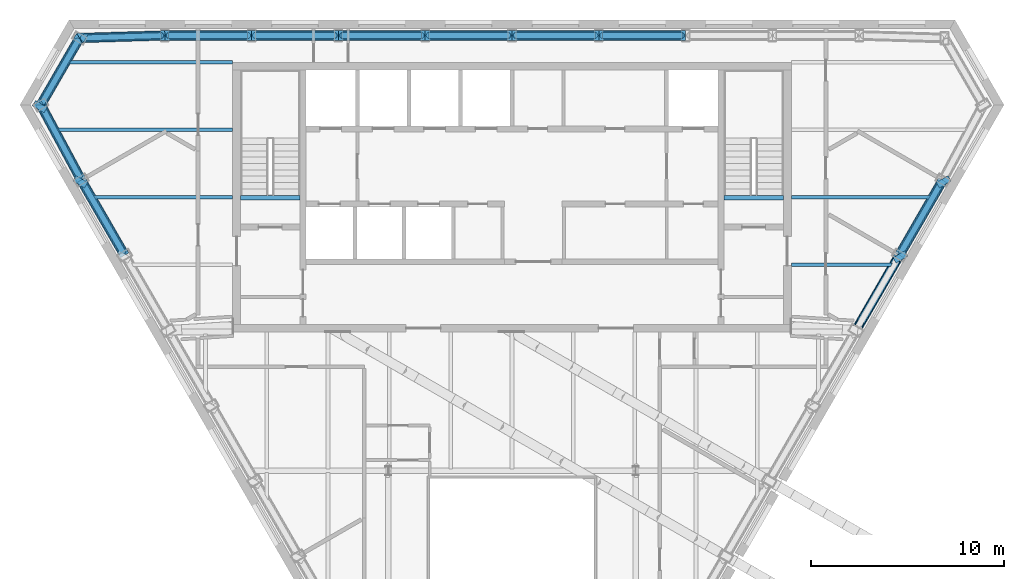
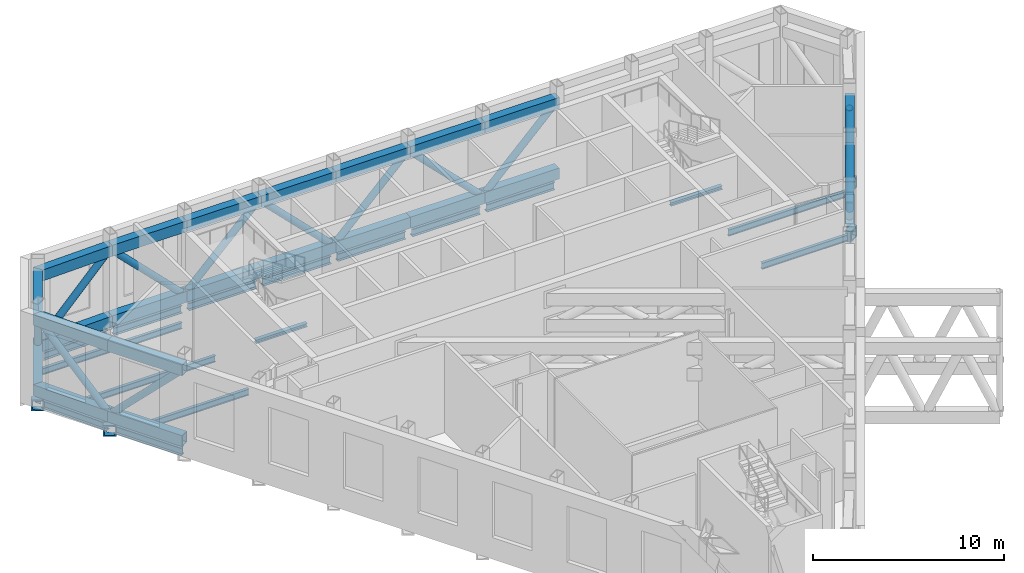
# One storey, part 5 of 14: 35 members, 22 beams.
"""IFC4 building model written with IfcOpenShell, lengths in metres."""

from ifc_helpers import new_model, si_unit, direction, frame, origin, origin_2d, place, context, subcontext, project, spatial, hollow_rectangle, hollow_circle, i_section, extrude, clip, halfspace, material, material_profile, profile_set, type_object, element, save


model = new_model("IFC4")

# Units and contexts
model_context = context("Model", 3, precision=1e-05, world=origin(), true_north=direction((0.0, 1.0)))
body_context = subcontext(model_context, "Body", "Model", "MODEL_VIEW")
ifc_project = project(units=[si_unit("LENGTHUNIT", "METRE"), si_unit("AREAUNIT", "SQUARE_METRE"), si_unit("VOLUMEUNIT", "CUBIC_METRE"), si_unit("PLANEANGLEUNIT", "RADIAN"), si_unit("MASSUNIT", "GRAM", prefix="KILO")], contexts=[model_context])

# Site, building, storey
site_placement = place(None, origin())
site = spatial("IfcSite", under=ifc_project, at=site_placement, CompositionType="ELEMENT")
building_placement = place(site_placement, origin())
building = spatial("IfcBuilding", under=site, at=building_placement, Name="Njiva Tower", CompositionType="ELEMENT")
storey_placement = place(building_placement, frame((0.0, 0.0, 292.2)))
storey = spatial("IfcBuildingStorey", under=building, at=storey_placement, Name="L67", CompositionType="ELEMENT", Elevation=292.2)

# Beams
ifc_material_1 = material(Name="Steel S355 J2", Category="steel")
ifc_material_profile_1 = material_profile(ifc_material_1, hollow_rectangle(XDim=0.7, YDim=0.7, WallThickness=0.08, at=origin_2d()), Name="BOX 700x700x80")
ifc_profile_set_1 = profile_set([ifc_material_profile_1], Name="Steel S355 J2")
beam_type_1 = type_object("IfcBeamType", Name="B19 Column jog beam BOX 700x700x80", PredefinedType="BEAM", material=ifc_profile_set_1)
beam_1_placement = place(storey_placement, frame((-24.599, 15.568, -0.55), z_axis=(0.519059238985, 0.85473826779, 0.0), x_axis=(-0.85473826779, 0.519059238985, 0.0)))
element("IfcBeam", 1, at=beam_1_placement, inside=storey, type_object=beam_type_1, Name="Column jog beam T5-B013", PredefinedType="BEAM", context=body_context, shape_type="SweptSolid", body=[
    extrude(hollow_rectangle(XDim=0.7, YDim=0.7, WallThickness=0.08, at=origin_2d()), origin(), (0.0, 0.0, 1.0), 0.3217),
])
beam_2_placement = place(storey_placement, frame((-22.498, 11.663, -0.55), z_axis=(0.512677882512, 0.858581032159, 0.0), x_axis=(-0.858581032159, 0.512677882512, 0.0)))
element("IfcBeam", 2, at=beam_2_placement, inside=storey, type_object=beam_type_1, Name="Column jog beam T5-B014", PredefinedType="BEAM", context=body_context, shape_type="SweptSolid", body=[
    extrude(hollow_rectangle(XDim=0.7, YDim=0.7, WallThickness=0.08, at=origin_2d()), origin(), (0.0, 0.0, 1.0), 0.3238),
])
beam_3_placement = place(storey_placement, frame((20.245, 7.759, -0.55), z_axis=(-0.511321392938, 0.859389570058, 0.0), x_axis=(-0.859389570058, -0.511321392938, 0.0)))
element("IfcBeam", 3, at=beam_3_placement, inside=storey, type_object=beam_type_1, Name="Column jog beam T5-B034", PredefinedType="BEAM", context=body_context, shape_type="SweptSolid", body=[
    extrude(hollow_rectangle(XDim=0.7, YDim=0.7, WallThickness=0.08, at=origin_2d()), origin(), (0.0, 0.0, 1.0), 0.3246),
])
beam_4_placement = place(storey_placement, frame((22.498, 11.663, -0.55), z_axis=(-0.512677882512, 0.858581032159, 0.0), x_axis=(-0.858581032159, -0.512677882512, 0.0)))
element("IfcBeam", 4, at=beam_4_placement, inside=storey, type_object=beam_type_1, Name="Column jog beam T5-B035", PredefinedType="BEAM", context=body_context, shape_type="SweptSolid", body=[
    extrude(hollow_rectangle(XDim=0.7, YDim=0.7, WallThickness=0.08, at=origin_2d()), origin(), (0.0, 0.0, 1.0), 0.3238),
])
ifc_material_profile_2 = material_profile(ifc_material_1, i_section(OverallWidth=0.3, OverallDepth=0.49, WebThickness=0.012, FlangeThickness=0.023, at=origin_2d()), Name="HEA 500")
ifc_profile_set_2 = profile_set([ifc_material_profile_2], Name="Steel S355 J2")
beam_type_2 = type_object("IfcBeamType", Name="B48 Short-span spandrel beam HEA 500", PredefinedType="SPANDREL", material=ifc_profile_set_2)
beam_5_placement = place(storey_placement, frame((8.815, 19.4, -0.445), z_axis=(-1.0, 0.0, 0.0), x_axis=(0.0, -1.0, 0.0)))
element("IfcBeam", 5, at=beam_5_placement, inside=storey, type_object=beam_type_2, Name="Short-span spandrel beam T5-B081", PredefinedType="SPANDREL", context=body_context, shape_type="SweptSolid", body=[
    extrude(i_section(OverallWidth=0.3, OverallDepth=0.49, WebThickness=0.012, FlangeThickness=0.023, at=origin_2d()), origin(), (0.0, 0.0, 1.0), 4.107),
])
for number, where, z_axis, x_axis, name in (
    (6, (4.308, 19.4, -0.445), (-1.0, 0.0, 0.0), (0.0, -1.0, 0.0), "Short-span spandrel beam T5-B078"),
    (7, (-0.2, 19.4, -0.445), (-1.0, 0.0, 0.0), (0.0, -1.0, 0.0), "Short-span spandrel beam T5-B075"),
):
    element("IfcBeam", number, at=place(storey_placement, frame(where, z_axis=z_axis, x_axis=x_axis)), inside=storey, type_object=beam_type_2, Name=name, PredefinedType="SPANDREL", context=body_context, shape_type="SweptSolid", body=[
        extrude(i_section(OverallWidth=0.3, OverallDepth=0.49, WebThickness=0.012, FlangeThickness=0.023, at=origin_2d()), origin(), (0.0, 0.0, 1.0), 4.108),
    ])
beam_6_placement = place(storey_placement, frame((-4.708, 19.4, -0.445), z_axis=(-1.0, 0.0, 0.0), x_axis=(0.0, -1.0, 0.0)))
element("IfcBeam", 8, at=beam_6_placement, inside=storey, type_object=beam_type_2, Name="Short-span spandrel beam T5-B072", PredefinedType="SPANDREL", context=body_context, shape_type="SweptSolid", body=[
    extrude(i_section(OverallWidth=0.3, OverallDepth=0.49, WebThickness=0.012, FlangeThickness=0.023, at=origin_2d()), origin(), (0.0, 0.0, 1.0), 4.107),
])
beam_7_placement = place(storey_placement, frame((-9.215, 19.4, -0.445), z_axis=(-1.0, 0.0, 0.0), x_axis=(0.0, -1.0, 0.0)))
element("IfcBeam", 9, at=beam_7_placement, inside=storey, type_object=beam_type_2, Name="Short-span spandrel beam T5-B069", PredefinedType="SPANDREL", context=body_context, shape_type="SweptSolid", body=[
    extrude(i_section(OverallWidth=0.3, OverallDepth=0.49, WebThickness=0.012, FlangeThickness=0.023, at=origin_2d()), origin(), (0.0, 0.0, 1.0), 4.108),
])
beam_8_placement = place(storey_placement, frame((-13.723, 19.4, -0.445), z_axis=(-1.0, 0.0, 0.0), x_axis=(0.0, -1.0, 0.0)))
element("IfcBeam", 10, at=beam_8_placement, inside=storey, type_object=beam_type_2, Name="Short-span spandrel beam T5-B066", PredefinedType="SPANDREL", context=body_context, shape_type="SweptSolid", body=[
    extrude(i_section(OverallWidth=0.3, OverallDepth=0.49, WebThickness=0.012, FlangeThickness=0.023, at=origin_2d()), origin(), (0.0, 0.0, 1.0), 4.107),
])
beam_9_placement = place(storey_placement, frame((-18.234, 19.394, -0.445), z_axis=(-0.999544486246, -0.030179794811, 0.0), x_axis=(0.030179794811, -0.999544486246, 0.0)))
element("IfcBeam", 11, at=beam_9_placement, inside=storey, type_object=beam_type_2, Name="Short-span spandrel beam T5-B064", PredefinedType="SPANDREL", context=body_context, shape_type="Clipping", body=[
    clip(extrude(i_section(OverallWidth=0.3, OverallDepth=0.49, WebThickness=0.012, FlangeThickness=0.023, at=origin_2d()), origin(), (0.0, 0.0, 1.0), 3.9898), halfspace(frame((-0.0266, 0.0, 3.8602), z_axis=(-0.525906757481, 0.0, 0.850542228484), x_axis=(0.0, 1.0, 0.0)), False)),
])
beam_10_placement = place(storey_placement, frame((-22.557, 19.092, -0.445), z_axis=(-0.500036959603, -0.866004064096, 0.0), x_axis=(0.866004064096, -0.500036959603, 0.0)))
element("IfcBeam", 12, at=beam_10_placement, inside=storey, type_object=beam_type_2, Name="Short-span spandrel beam T5-B061", PredefinedType="SPANDREL", context=body_context, shape_type="Clipping", body=[
    clip(extrude(i_section(OverallWidth=0.3, OverallDepth=0.49, WebThickness=0.012, FlangeThickness=0.023, at=origin_2d()), origin(), (0.0, 0.0, 1.0), 3.7767), halfspace(frame((-0.025, 0.0, 3.6552), z_axis=(-0.499965029746, 0.0, 0.866045592928), x_axis=(0.0, 1.0, 0.0)), False)),
])
beam_11_placement = place(storey_placement, frame((-24.32, 15.527, -0.445), z_axis=(0.47374424202, -0.880662474023, 0.0), x_axis=(0.880662474023, 0.47374424202, 0.0)))
element("IfcBeam", 13, at=beam_11_placement, inside=storey, type_object=beam_type_2, Name="Short-span spandrel beam T5-B062", PredefinedType="SPANDREL", context=body_context, shape_type="SweptSolid", body=[
    extrude(i_section(OverallWidth=0.3, OverallDepth=0.49, WebThickness=0.012, FlangeThickness=0.023, at=origin_2d()), origin(), (0.0, 0.0, 1.0), 4.0254),
])
for number, where, z_axis, x_axis, name in (
    (14, (-22.214, 11.63, -0.445), (0.500066662559, -0.865986912717, 0.0), (0.865986912717, 0.500066662559, 0.0), "Short-span spandrel beam T5-B063"),
    (15, (20.16, 8.073, -0.445), (0.500066662559, 0.865986912717, 0.0), (-0.865986912717, 0.500066662559, 0.0), "Short-span spandrel beam T5-B091"),
):
    element("IfcBeam", number, at=place(storey_placement, frame(where, z_axis=z_axis, x_axis=x_axis)), inside=storey, type_object=beam_type_2, Name=name, PredefinedType="SPANDREL", context=body_context, shape_type="SweptSolid", body=[
        extrude(i_section(OverallWidth=0.3, OverallDepth=0.49, WebThickness=0.012, FlangeThickness=0.023, at=origin_2d()), origin(), (0.0, 0.0, 1.0), 4.1075),
    ])
ifc_material_profile_3 = material_profile(ifc_material_1, i_section(OverallWidth=0.18, OverallDepth=0.4, WebThickness=0.0086, FlangeThickness=0.0135, at=origin_2d()), Name="IPE 400")
ifc_profile_set_3 = profile_set([ifc_material_profile_3], Name="Steel S355 J2")
beam_type_3 = type_object("IfcBeamType", Name="B51 Floor beam to the core IPE 400", PredefinedType="BEAM", material=ifc_profile_set_3)
beam_12_placement = place(storey_placement, frame((14.5, 7.5, -0.4), z_axis=(1.0, 0.0, 0.0), x_axis=(0.0, 1.0, 0.0)))
element("IfcBeam", 16, at=beam_12_placement, inside=storey, type_object=beam_type_3, Name="Floor beam to the core T5-B005", PredefinedType="BEAM", context=body_context, shape_type="Clipping", body=[
    clip(extrude(i_section(OverallWidth=0.18, OverallDepth=0.4, WebThickness=0.0086, FlangeThickness=0.0135, at=origin_2d()), origin(), (0.0, 0.0, 1.0), 5.285), halfspace(frame((-0.025, 0.0, 5.199), z_axis=(-0.499998009787, 0.0, 0.866026552831), x_axis=(0.0, 1.0, 0.0)), False)),
])
beam_13_placement = place(storey_placement, frame((-21.806, 11.0, -0.4), z_axis=(1.0, 0.0, 0.0), x_axis=(0.0, 1.0, 0.0)))
element("IfcBeam", 17, at=beam_13_placement, inside=storey, type_object=beam_type_3, Name="Floor beam to the core T5-B003", PredefinedType="BEAM", context=body_context, shape_type="Clipping", body=[
    clip(extrude(i_section(OverallWidth=0.18, OverallDepth=0.4, WebThickness=0.0086, FlangeThickness=0.0135, at=origin_2d()), origin(), (0.0, 0.0, 1.0), 7.306), halfspace(frame((-0.025, 0.0, 0.0863), z_axis=(-0.499998009787, 0.0, -0.866026552831), x_axis=(0.0, -1.0, 0.0)), False)),
])
beam_14_placement = place(storey_placement, frame((14.5, 11.0, -0.4), z_axis=(1.0, 0.0, 0.0), x_axis=(0.0, 1.0, 0.0)))
element("IfcBeam", 18, at=beam_14_placement, inside=storey, type_object=beam_type_3, Name="Floor beam to the core T5-B006", PredefinedType="BEAM", context=body_context, shape_type="Clipping", body=[
    clip(extrude(i_section(OverallWidth=0.18, OverallDepth=0.4, WebThickness=0.0086, FlangeThickness=0.0135, at=origin_2d()), origin(), (0.0, 0.0, 1.0), 7.306), halfspace(frame((-0.025, 0.0, 7.2197), z_axis=(-0.499998009787, 0.0, 0.866026552831), x_axis=(0.0, 1.0, 0.0)), False)),
])
beam_15_placement = place(storey_placement, frame((-23.722, 14.5, -0.4), z_axis=(1.0, 0.0, 0.0), x_axis=(0.0, 1.0, 0.0)))
element("IfcBeam", 19, at=beam_15_placement, inside=storey, type_object=beam_type_3, Name="Floor beam to the core T5-B001", PredefinedType="BEAM", context=body_context, shape_type="Clipping", body=[
    clip(extrude(i_section(OverallWidth=0.18, OverallDepth=0.4, WebThickness=0.0086, FlangeThickness=0.0135, at=origin_2d()), origin(), (0.0, 0.0, 1.0), 9.222), halfspace(frame((-0.0237, 0.0, 0.0808), z_axis=(-0.47376166762, 0.0, -0.88065309986), x_axis=(0.0, -1.0, 0.0)), False)),
])
beam_16_placement = place(storey_placement, frame((-23.144, 18.0, -0.4), z_axis=(1.0, 0.0, 0.0), x_axis=(0.0, 1.0, 0.0)))
element("IfcBeam", 20, at=beam_16_placement, inside=storey, type_object=beam_type_3, Name="Floor beam to the core T5-B002", PredefinedType="BEAM", context=body_context, shape_type="Clipping", body=[
    clip(extrude(i_section(OverallWidth=0.18, OverallDepth=0.4, WebThickness=0.0086, FlangeThickness=0.0135, at=origin_2d()), origin(), (0.0, 0.0, 1.0), 8.644), halfspace(frame((0.025, 0.0, 0.0862), z_axis=(0.499998009787, 0.0, -0.866026552831), x_axis=(0.0, -1.0, 0.0)), False)),
])
ifc_material_profile_4 = material_profile(ifc_material_1, i_section(OverallWidth=0.24, OverallDepth=0.23, WebThickness=0.0075, FlangeThickness=0.012, at=origin_2d()), Name="HEA240")
ifc_profile_set_4 = profile_set([ifc_material_profile_4], Name="Steel S355 J2")
beam_type_4 = type_object("IfcBeamType", Name="FL8 Landing beam HEA 240", PredefinedType="BEAM", material=ifc_profile_set_4)
for number, where, z_axis, x_axis, name in (
    (21, (-14.106, 10.98, 2.685), (1.0, 0.0, 0.0), (0.0, 1.0, 0.0), "Landing beam"),
    (22, (10.994, 10.98, 2.685), (1.0, 0.0, 0.0), (0.0, 1.0, 0.0), "Landing beam"),
):
    element("IfcBeam", number, at=place(storey_placement, frame(where, z_axis=z_axis, x_axis=x_axis)), inside=storey, type_object=beam_type_4, Name=name, PredefinedType="BEAM", context=body_context, shape_type="SweptSolid", body=[
        extrude(i_section(OverallWidth=0.24, OverallDepth=0.23, WebThickness=0.0075, FlangeThickness=0.012, at=origin_2d()), origin(), (0.0, 0.0, 1.0), 3.112),
    ])

# Members
ifc_material_profile_5 = material_profile(ifc_material_1, hollow_rectangle(XDim=0.5, YDim=0.7, WallThickness=0.04, at=origin_2d()), Name="BOX 700x500x40")
ifc_profile_set_5 = profile_set([ifc_material_profile_5], Name="Steel S355 J2")
member_type_1 = type_object("IfcMemberType", Name="TC2 Belt truss chord BOX 700x500x40", PredefinedType="CHORD", material=ifc_profile_set_5)
for number, where, z_axis, x_axis, name in (
    (23, (9.013, 19.4, 0.35), (-1.0, 0.0, 0.0), (0.0, -1.0, 0.0), "Belt truss chord T5-TR010"),
    (24, (9.013, 19.4, 4.86), (-1.0, 0.0, 0.0), (0.0, -1.0, 0.0), "Belt truss chord T5-TR011"),
):
    element("IfcMember", number, at=place(storey_placement, frame(where, z_axis=z_axis, x_axis=x_axis)), inside=storey, type_object=member_type_1, Name=name, PredefinedType="CHORD", context=body_context, shape_type="SweptSolid", body=[
        extrude(hollow_rectangle(XDim=0.5, YDim=0.7, WallThickness=0.04, at=origin_2d()), origin(), (0.0, 0.0, 1.0), 4.506),
    ])
for number, where, z_axis, x_axis, name in (
    (25, (4.507, 19.4, 0.35), (-1.0, 0.0, 0.0), (0.0, -1.0, 0.0), "Belt truss chord T5-TR013"),
    (26, (4.507, 19.4, 4.86), (-1.0, 0.0, 0.0), (0.0, -1.0, 0.0), "Belt truss chord T5-TR014"),
    (27, (0.0, 19.4, 0.35), (-1.0, 0.0, 0.0), (0.0, -1.0, 0.0), "Belt truss chord T5-TR016"),
    (28, (0.0, 19.4, 4.86), (-1.0, 0.0, 0.0), (0.0, -1.0, 0.0), "Belt truss chord T5-TR017"),
):
    element("IfcMember", number, at=place(storey_placement, frame(where, z_axis=z_axis, x_axis=x_axis)), inside=storey, type_object=member_type_1, Name=name, PredefinedType="CHORD", context=body_context, shape_type="SweptSolid", body=[
        extrude(hollow_rectangle(XDim=0.5, YDim=0.7, WallThickness=0.04, at=origin_2d()), origin(), (0.0, 0.0, 1.0), 4.507),
    ])
for number, where, z_axis, x_axis, name in (
    (29, (-4.507, 19.4, 0.35), (-1.0, 0.0, 0.0), (0.0, -1.0, 0.0), "Belt truss chord T5-TR019"),
    (30, (-4.507, 19.4, 4.86), (-1.0, 0.0, 0.0), (0.0, -1.0, 0.0), "Belt truss chord T5-TR020"),
):
    element("IfcMember", number, at=place(storey_placement, frame(where, z_axis=z_axis, x_axis=x_axis)), inside=storey, type_object=member_type_1, Name=name, PredefinedType="CHORD", context=body_context, shape_type="SweptSolid", body=[
        extrude(hollow_rectangle(XDim=0.5, YDim=0.7, WallThickness=0.04, at=origin_2d()), origin(), (0.0, 0.0, 1.0), 4.506),
    ])
for number, where, z_axis, x_axis, name in (
    (31, (-9.013, 19.4, 0.35), (-1.0, 0.0, 0.0), (0.0, -1.0, 0.0), "Belt truss chord T5-TR022"),
    (32, (-9.013, 19.4, 4.86), (-1.0, 0.0, 0.0), (0.0, -1.0, 0.0), "Belt truss chord T5-TR023"),
):
    element("IfcMember", number, at=place(storey_placement, frame(where, z_axis=z_axis, x_axis=x_axis)), inside=storey, type_object=member_type_1, Name=name, PredefinedType="CHORD", context=body_context, shape_type="SweptSolid", body=[
        extrude(hollow_rectangle(XDim=0.5, YDim=0.7, WallThickness=0.04, at=origin_2d()), origin(), (0.0, 0.0, 1.0), 4.507),
    ])
member_1_placement = place(storey_placement, frame((-13.52, 19.4, 0.35), z_axis=(-1.0, 0.0, 0.0), x_axis=(0.0, -1.0, 0.0)))
element("IfcMember", 33, at=member_1_placement, inside=storey, type_object=member_type_1, Name="Belt truss chord T5-TR025", PredefinedType="CHORD", context=body_context, shape_type="Clipping", body=[
    clip(extrude(hollow_rectangle(XDim=0.5, YDim=0.7, WallThickness=0.04, at=origin_2d()), origin(), (0.0, 0.0, 1.0), 4.54), halfspace(frame((0.0, -292.55, 4.506), z_axis=(0.015009960132, 0.0, 0.999887344203), x_axis=(0.0, 1.0, 0.0)), False)),
])
member_2_placement = place(storey_placement, frame((-13.52, 19.4, 4.86), z_axis=(-1.0, 0.0, 0.0), x_axis=(0.0, -1.0, 0.0)))
element("IfcMember", 34, at=member_2_placement, inside=storey, type_object=member_type_1, Name="Belt truss chord T5-TR026", PredefinedType="CHORD", context=body_context, shape_type="Clipping", body=[
    clip(extrude(hollow_rectangle(XDim=0.5, YDim=0.7, WallThickness=0.04, at=origin_2d()), origin(), (0.0, 0.0, 1.0), 4.54), halfspace(frame((0.0, -297.06, 4.506), z_axis=(0.015009960132, 0.0, 0.999887344203), x_axis=(0.0, 1.0, 0.0)), False)),
])
member_3_placement = place(storey_placement, frame((-17.992, 19.401, 0.35), z_axis=(-0.999549626981, -0.030009052006, 0.0), x_axis=(0.030009052006, -0.999549626981, 0.0)))
element("IfcMember", 35, at=member_3_placement, inside=storey, type_object=member_type_1, Name="Belt truss chord T5-TR028", PredefinedType="CHORD", context=body_context, shape_type="Clipping", body=[
    clip(clip(extrude(hollow_rectangle(XDim=0.5, YDim=0.7, WallThickness=0.04, at=origin_2d()), origin(), (0.0, 0.0, 1.0), 4.635), halfspace(frame((0.0, -292.55, 0.034), z_axis=(0.015002471262, 0.0, -0.999887456595), x_axis=(0.0, -1.0, 0.0)), False)), halfspace(frame((0.0, -292.55, 4.466), z_axis=(0.486880073495, 0.0, 0.873468828313), x_axis=(0.0, 1.0, 0.0)), False)),
])
member_4_placement = place(storey_placement, frame((-17.992, 19.401, 4.86), z_axis=(-0.999549626981, -0.030009052006, 0.0), x_axis=(0.030009052006, -0.999549626981, 0.0)))
element("IfcMember", 36, at=member_4_placement, inside=storey, type_object=member_type_1, Name="Belt truss chord T5-TR029", PredefinedType="CHORD", context=body_context, shape_type="Clipping", body=[
    clip(clip(extrude(hollow_rectangle(XDim=0.5, YDim=0.7, WallThickness=0.04, at=origin_2d()), origin(), (0.0, 0.0, 1.0), 4.635), halfspace(frame((0.0, -297.06, 0.034), z_axis=(0.015002471262, 0.0, -0.999887456595), x_axis=(0.0, -1.0, 0.0)), False)), halfspace(frame((0.0, -297.06, 4.466), z_axis=(0.486880073495, 0.0, 0.873468828313), x_axis=(0.0, 1.0, 0.0)), False)),
])
member_5_placement = place(storey_placement, frame((-22.3715, 19.4133, 0.35), z_axis=(-0.500132281504, -0.865949017551, 0.0), x_axis=(0.865949017551, -0.500132281504, 0.0)))
element("IfcMember", 37, at=member_5_placement, inside=storey, type_object=member_type_1, Name="Belt truss chord T5-TR031", PredefinedType="CHORD", context=body_context, shape_type="Clipping", body=[
    clip(clip(extrude(hollow_rectangle(XDim=0.5, YDim=0.7, WallThickness=0.04, at=origin_2d()), origin(), (0.0, 0.0, 1.0), 4.3509), halfspace(frame((0.0, -292.55, 0.169), z_axis=(0.486882377495, 0.0, -0.873467544036), x_axis=(0.0, -1.0, 0.0)), False)), halfspace(frame((0.0, -292.55, 4.1819), z_axis=(0.487034415011, 0.0, 0.873382778966), x_axis=(0.0, 1.0, 0.0)), False)),
])
member_6_placement = place(storey_placement, frame((-22.3715, 19.4133, 4.86), z_axis=(-0.500132281504, -0.865949017551, 0.0), x_axis=(0.865949017551, -0.500132281504, 0.0)))
element("IfcMember", 38, at=member_6_placement, inside=storey, type_object=member_type_1, Name="Belt truss chord T5-TR032", PredefinedType="CHORD", context=body_context, shape_type="Clipping", body=[
    clip(clip(extrude(hollow_rectangle(XDim=0.5, YDim=0.7, WallThickness=0.04, at=origin_2d()), origin(), (0.0, 0.0, 1.0), 4.3509), halfspace(frame((0.0, -297.06, 0.169), z_axis=(0.486882377495, 0.0, -0.873467544036), x_axis=(0.0, -1.0, 0.0)), False)), halfspace(frame((0.0, -297.06, 4.1819), z_axis=(0.487034415011, 0.0, 0.873382778966), x_axis=(0.0, 1.0, 0.0)), False)),
])
member_7_placement = place(storey_placement, frame((-24.5431, 15.9408, 0.35), z_axis=(0.473817247054, -0.880623197738, 0.0), x_axis=(0.880623197738, 0.473817247054, 0.0)))
element("IfcMember", 39, at=member_7_placement, inside=storey, type_object=member_type_1, Name="Belt truss chord T5-TR034", PredefinedType="CHORD", context=body_context, shape_type="Clipping", body=[
    clip(clip(extrude(hollow_rectangle(XDim=0.5, YDim=0.7, WallThickness=0.04, at=origin_2d()), origin(), (0.0, 0.0, 1.0), 4.6351), halfspace(frame((0.0, -292.55, 0.169), z_axis=(0.487025652807, 0.0, -0.873387665077), x_axis=(0.0, -1.0, 0.0)), False)), halfspace(frame((0.0, -292.55, 4.6011), z_axis=(0.014950930427, 0.0, 0.999888228593), x_axis=(0.0, 1.0, 0.0)), False)),
])
member_8_placement = place(storey_placement, frame((-24.5431, 15.9408, 4.86), z_axis=(0.473817247054, -0.880623197738, 0.0), x_axis=(0.880623197738, 0.473817247054, 0.0)))
element("IfcMember", 40, at=member_8_placement, inside=storey, type_object=member_type_1, Name="Belt truss chord T5-TR035", PredefinedType="CHORD", context=body_context, shape_type="Clipping", body=[
    clip(clip(extrude(hollow_rectangle(XDim=0.5, YDim=0.7, WallThickness=0.04, at=origin_2d()), origin(), (0.0, 0.0, 1.0), 4.6351), halfspace(frame((0.0, -297.06, 0.169), z_axis=(0.487025652807, 0.0, -0.873387665077), x_axis=(0.0, -1.0, 0.0)), False)), halfspace(frame((0.0, -297.06, 4.6011), z_axis=(0.014950930427, 0.0, 0.999888228593), x_axis=(0.0, 1.0, 0.0)), False)),
])
member_9_placement = place(storey_placement, frame((-22.38, 11.9184, 0.35), z_axis=(0.499933745558, -0.866063652425, 0.0), x_axis=(0.866063652425, 0.499933745558, 0.0)))
element("IfcMember", 41, at=member_9_placement, inside=storey, type_object=member_type_1, Name="Belt truss chord T5-TR037", PredefinedType="CHORD", context=body_context, shape_type="Clipping", body=[
    clip(extrude(hollow_rectangle(XDim=0.5, YDim=0.7, WallThickness=0.04, at=origin_2d()), origin(), (0.0, 0.0, 1.0), 4.5406), halfspace(frame((0.0, -292.55, 0.034), z_axis=(0.014949769463, 0.0, -0.999888245952), x_axis=(0.0, -1.0, 0.0)), False)),
])
member_10_placement = place(storey_placement, frame((-22.38, 11.9184, 4.86), z_axis=(0.499933745558, -0.866063652425, 0.0), x_axis=(0.866063652425, 0.499933745558, 0.0)))
element("IfcMember", 42, at=member_10_placement, inside=storey, type_object=member_type_1, Name="Belt truss chord T5-TR038", PredefinedType="CHORD", context=body_context, shape_type="Clipping", body=[
    clip(extrude(hollow_rectangle(XDim=0.5, YDim=0.7, WallThickness=0.04, at=origin_2d()), origin(), (0.0, 0.0, 1.0), 4.5406), halfspace(frame((0.0, -297.06, 0.034), z_axis=(0.014949769463, 0.0, -0.999888245952), x_axis=(0.0, -1.0, 0.0)), False)),
])
member_11_placement = place(storey_placement, frame((17.856, 4.083, 4.86), z_axis=(0.50010015525, 0.865967571402, 0.0), x_axis=(-0.865967571402, 0.50010015525, 0.0)))
element("IfcMember", 43, at=member_11_placement, inside=storey, type_object=member_type_1, Name="Belt truss chord T5-TR089", PredefinedType="CHORD", context=body_context, shape_type="SweptSolid", body=[
    extrude(hollow_rectangle(XDim=0.5, YDim=0.7, WallThickness=0.04, at=origin_2d()), origin(), (0.0, 0.0, 1.0), 4.5071),
])
member_12_placement = place(storey_placement, frame((20.11, 7.986, 0.35), z_axis=(0.499933745558, 0.866063652425, 0.0), x_axis=(-0.866063652425, 0.499933745558, 0.0)))
element("IfcMember", 44, at=member_12_placement, inside=storey, type_object=member_type_1, Name="Belt truss chord T5-TR091", PredefinedType="CHORD", context=body_context, shape_type="Clipping", body=[
    clip(extrude(hollow_rectangle(XDim=0.5, YDim=0.7, WallThickness=0.04, at=origin_2d()), origin(), (0.0, 0.0, 1.0), 4.5406), halfspace(frame((0.0, -292.55, 4.5066), z_axis=(0.014949769463, 0.0, 0.999888245952), x_axis=(0.0, 1.0, 0.0)), False)),
])
member_13_placement = place(storey_placement, frame((20.11, 7.986, 4.86), z_axis=(0.499933745558, 0.866063652425, 0.0), x_axis=(-0.866063652425, 0.499933745558, 0.0)))
element("IfcMember", 45, at=member_13_placement, inside=storey, type_object=member_type_1, Name="Belt truss chord T5-TR092", PredefinedType="CHORD", context=body_context, shape_type="Clipping", body=[
    clip(extrude(hollow_rectangle(XDim=0.5, YDim=0.7, WallThickness=0.04, at=origin_2d()), origin(), (0.0, 0.0, 1.0), 4.5406), halfspace(frame((0.0, -297.06, 4.5066), z_axis=(0.014949769463, 0.0, 0.999888245952), x_axis=(0.0, 1.0, 0.0)), False)),
])
ifc_material_2 = material(Name="Steel S355 J2H", Category="steel")
ifc_material_profile_6 = material_profile(ifc_material_2, hollow_circle(Radius=0.2032, WallThickness=0.016, at=origin_2d()), Name="CHS 406.4x16")
ifc_profile_set_6 = profile_set([ifc_material_profile_6], Name="Steel S355 J2H")
member_type_2 = type_object("IfcMemberType", Name="TD2 Belt truss diagonal CHS 406.4x16", PredefinedType="BRACE", material=ifc_profile_set_6)
member_14_placement = place(storey_placement, frame((9.1791, 19.4, 5.0262), z_axis=(-0.706792999657, 0.0, -0.707420423536), x_axis=(0.0, -1.0, 0.0)))
element("IfcMember", 46, at=member_14_placement, inside=storey, type_object=member_type_2, Name="Belt truss diagonal T5-TR012", PredefinedType="BRACE", context=body_context, shape_type="Clipping", body=[
    clip(clip(extrude(hollow_circle(Radius=0.2032, WallThickness=0.016, at=origin_2d()), origin(), (0.0, 0.0, 1.0), 6.8453), halfspace(frame((19.4, 6.1357, 6.8458), z_axis=(0.0, 0.706792999657, -0.707420423536), x_axis=(0.0, -0.707420423536, -0.706792999657)), False)), halfspace(frame((19.4, 3.4287, 9.5553), z_axis=(0.0, -0.706792999657, 0.707420423536), x_axis=(0.0, 0.707420423536, 0.706792999657)), False)),
])
member_15_placement = place(storey_placement, frame((4.6731, 19.4, 0.1838), z_axis=(-0.706871484179, 0.0, 0.707341999922), x_axis=(0.0, -1.0, 0.0)))
element("IfcMember", 47, at=member_15_placement, inside=storey, type_object=member_type_2, Name="Belt truss diagonal T5-TR015", PredefinedType="BRACE", context=body_context, shape_type="Clipping", body=[
    clip(clip(extrude(hollow_circle(Radius=0.2032, WallThickness=0.016, at=origin_2d()), origin(), (0.0, 0.0, 1.0), 6.846), halfspace(frame((19.4, -2.9477, 3.6614), z_axis=(0.0, -0.706871484179, -0.707341999922), x_axis=(0.0, -0.707341999922, 0.706871484179)), False)), halfspace(frame((19.4, -0.2403, 6.3705), z_axis=(0.0, 0.706871484179, 0.707341999922), x_axis=(0.0, 0.707341999922, -0.706871484179)), False)),
])
member_16_placement = place(storey_placement, frame((0.1661, 19.4, 5.0262), z_axis=(-0.706871484179, 0.0, -0.707341999922), x_axis=(0.0, -1.0, 0.0)))
element("IfcMember", 48, at=member_16_placement, inside=storey, type_object=member_type_2, Name="Belt truss diagonal T5-TR018", PredefinedType="BRACE", context=body_context, shape_type="Clipping", body=[
    clip(clip(extrude(hollow_circle(Radius=0.2032, WallThickness=0.016, at=origin_2d()), origin(), (0.0, 0.0, 1.0), 6.846), halfspace(frame((19.4, -0.2403, 0.4755), z_axis=(0.0, 0.706871484179, -0.707341999922), x_axis=(0.0, -0.707341999922, -0.706871484179)), False)), halfspace(frame((19.4, -2.9477, 3.1846), z_axis=(0.0, -0.706871484179, 0.707341999922), x_axis=(0.0, 0.707341999922, 0.706871484179)), False)),
])
member_17_placement = place(storey_placement, frame((-4.3409, 19.4, 0.1838), z_axis=(-0.706792999657, 0.0, 0.707420423536), x_axis=(0.0, -1.0, 0.0)))
element("IfcMember", 49, at=member_17_placement, inside=storey, type_object=member_type_2, Name="Belt truss diagonal T5-TR021", PredefinedType="BRACE", context=body_context, shape_type="Clipping", body=[
    clip(clip(extrude(hollow_circle(Radius=0.2032, WallThickness=0.016, at=origin_2d()), origin(), (0.0, 0.0, 1.0), 6.8453), halfspace(frame((19.4, 3.4287, -2.71), z_axis=(0.0, -0.706792999657, -0.707420423536), x_axis=(0.0, -0.707420423536, 0.706792999657)), False)), halfspace(frame((19.4, 6.1357, -0.0006), z_axis=(0.0, 0.706792999657, 0.707420423536), x_axis=(0.0, 0.707420423536, -0.706792999657)), False)),
])
member_18_placement = place(storey_placement, frame((-8.8469, 19.4, 5.0262), z_axis=(-0.706871484179, 0.0, -0.707341999922), x_axis=(0.0, -1.0, 0.0)))
element("IfcMember", 50, at=member_18_placement, inside=storey, type_object=member_type_2, Name="Belt truss diagonal T5-TR024", PredefinedType="BRACE", context=body_context, shape_type="Clipping", body=[
    clip(clip(extrude(hollow_circle(Radius=0.2032, WallThickness=0.016, at=origin_2d()), origin(), (0.0, 0.0, 1.0), 6.846), halfspace(frame((19.4, -6.6156, -5.8955), z_axis=(0.0, 0.706871484179, -0.707341999922), x_axis=(0.0, -0.707341999922, -0.706871484179)), False)), halfspace(frame((19.4, -9.3229, -3.1864), z_axis=(0.0, -0.706871484179, 0.707341999922), x_axis=(0.0, 0.707341999922, 0.706871484179)), False)),
])
member_19_placement = place(storey_placement, frame((-13.3539, 19.4, 0.1838), z_axis=(-0.706792999657, 0.0, 0.707420423536), x_axis=(0.0, -1.0, 0.0)))
element("IfcMember", 51, at=member_19_placement, inside=storey, type_object=member_type_2, Name="Belt truss diagonal T5-TR027", PredefinedType="BRACE", context=body_context, shape_type="Clipping", body=[
    clip(clip(extrude(hollow_circle(Radius=0.2032, WallThickness=0.016, at=origin_2d()), origin(), (0.0, 0.0, 1.0), 6.8453), halfspace(frame((19.4, 9.8046, -9.0803), z_axis=(0.0, -0.706792999657, -0.707420423536), x_axis=(0.0, -0.707420423536, 0.706792999657)), False)), halfspace(frame((19.4, 12.5117, -6.3709), z_axis=(0.0, 0.706792999657, 0.707420423536), x_axis=(0.0, 0.707420423536, -0.706792999657)), False)),
])
member_20_placement = place(storey_placement, frame((-17.8642, 19.4049, 5.0248), z_axis=(-0.700596118376, -0.021033698362, -0.713247967014), x_axis=(0.030009052006, -0.999549626981, 0.0)))
element("IfcMember", 52, at=member_20_placement, inside=storey, type_object=member_type_2, Name="Belt truss diagonal T5-TR030", PredefinedType="BRACE", context=body_context, shape_type="Clipping", body=[
    clip(clip(extrude(hollow_circle(Radius=0.2032, WallThickness=0.016, at=origin_2d()), origin(), (0.0, 0.0, 1.0), 6.7852), halfspace(frame((19.9322, -12.6743, -11.7474), z_axis=(0.0, 0.700911790135, -0.713247967014), x_axis=(0.0, -0.713247967014, -0.700911790135)), False)), halfspace(frame((19.9322, -15.3588, -9.0156), z_axis=(0.0, -0.700911790135, 0.713247967014), x_axis=(0.0, 0.713247967014, 0.700911790135)), False)),
])
member_21_placement = place(storey_placement, frame((-22.3855, 19.389, 0.1916), z_axis=(-0.33245716726, -0.575629624429, 0.747076145662), x_axis=(0.865949017551, -0.500132281504, 0.0)))
element("IfcMember", 53, at=member_21_placement, inside=storey, type_object=member_type_2, Name="Belt truss diagonal T5-TR033", PredefinedType="BRACE", context=body_context, shape_type="Clipping", body=[
    clip(clip(extrude(hollow_circle(Radius=0.2032, WallThickness=0.016, at=origin_2d()), origin(), (0.0, 0.0, 1.0), 6.4609), halfspace(frame((29.0818, -3.848, 4.091), z_axis=(0.0, -0.664738469312, -0.747076145662), x_axis=(0.0, -0.747076145662, 0.664738469312)), False)), halfspace(frame((29.0818, -1.302, 6.9523), z_axis=(0.0, 0.664738469312, 0.747076145662), x_axis=(0.0, 0.747076145662, -0.664738469312)), False)),
])
member_22_placement = place(storey_placement, frame((-24.5397, 15.9346, 5.0248), z_axis=(0.33210762121, -0.617245735992, -0.71324065317), x_axis=(0.880623197738, 0.473817247054, 0.0)))
element("IfcMember", 54, at=member_22_placement, inside=storey, type_object=member_type_2, Name="Belt truss diagonal T5-TR036", PredefinedType="BRACE", context=body_context, shape_type="Clipping", body=[
    clip(clip(extrude(hollow_circle(Radius=0.2032, WallThickness=0.016, at=origin_2d()), origin(), (0.0, 0.0, 1.0), 6.7853), halfspace(frame((14.0602, 17.9477, 18.3454), z_axis=(0.0, 0.700919232626, -0.71324065317), x_axis=(0.0, -0.71324065317, -0.700919232626)), False)), halfspace(frame((14.0602, 15.2632, 21.0771), z_axis=(0.0, -0.700919232626, 0.71324065317), x_axis=(0.0, 0.71324065317, 0.700919232626)), False)),
])
member_23_placement = place(storey_placement, frame((-22.446, 12.0329, 0.1838), z_axis=(0.353373104189, -0.612168320306, 0.707373590721), x_axis=(0.866063652425, 0.499933745558, 0.0)))
element("IfcMember", 55, at=member_23_placement, inside=storey, type_object=member_type_2, Name="Belt truss diagonal T5-TR039", PredefinedType="BRACE", context=body_context, shape_type="Clipping", body=[
    clip(clip(extrude(hollow_circle(Radius=0.2032, WallThickness=0.016, at=origin_2d()), origin(), (0.0, 0.0, 1.0), 6.8457), halfspace(frame((13.4241, -14.9517, 15.6561), z_axis=(0.0, -0.70683987094, -0.707373590721), x_axis=(0.0, -0.707373590721, 0.70683987094)), False)), halfspace(frame((13.4241, -12.2445, 18.3653), z_axis=(0.0, 0.70683987094, 0.707373590721), x_axis=(0.0, 0.707373590721, -0.70683987094)), False)),
])
member_24_placement = place(storey_placement, frame((17.7729, 3.9391, 5.0262), z_axis=(0.353510352654, 0.612134386162, -0.707334379091), x_axis=(-0.865967571402, 0.50010015525, 0.0)))
element("IfcMember", 56, at=member_24_placement, inside=storey, type_object=member_type_2, Name="Belt truss diagonal T5-TR090", PredefinedType="BRACE", context=body_context, shape_type="Clipping", body=[
    clip(clip(extrude(hollow_circle(Radius=0.2032, WallThickness=0.016, at=origin_2d()), origin(), (0.0, 0.0, 1.0), 6.8461), halfspace(frame((13.4208, -9.0576, -8.3361), z_axis=(0.0, 0.706879110001, -0.707334379091), x_axis=(0.0, -0.707334379091, -0.706879110001)), False)), halfspace(frame((13.4208, -11.765, -5.627), z_axis=(0.0, -0.706879110001, 0.707334379091), x_axis=(0.0, 0.707334379091, 0.706879110001)), False)),
])
member_25_placement = place(storey_placement, frame((20.027, 7.8421, 0.1838), z_axis=(0.353373104189, 0.612168320306, 0.707373590721), x_axis=(-0.866063652425, 0.499933745558, 0.0)))
element("IfcMember", 57, at=member_25_placement, inside=storey, type_object=member_type_2, Name="Belt truss diagonal T5-TR093", PredefinedType="BRACE", context=body_context, shape_type="Clipping", body=[
    clip(clip(extrude(hollow_circle(Radius=0.2032, WallThickness=0.016, at=origin_2d()), origin(), (0.0, 0.0, 1.0), 6.8457), halfspace(frame((13.4241, 12.2445, -11.5196), z_axis=(0.0, -0.70683987094, -0.707373590721), x_axis=(0.0, -0.707373590721, 0.70683987094)), False)), halfspace(frame((13.4241, 14.9517, -8.8104), z_axis=(0.0, 0.70683987094, 0.707373590721), x_axis=(0.0, 0.707373590721, -0.70683987094)), False)),
])

save(model, "model.ifc")
